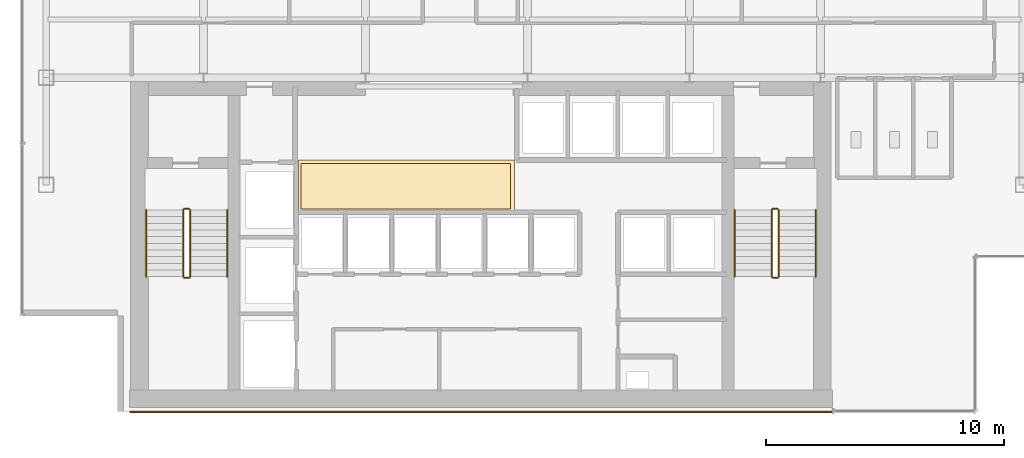
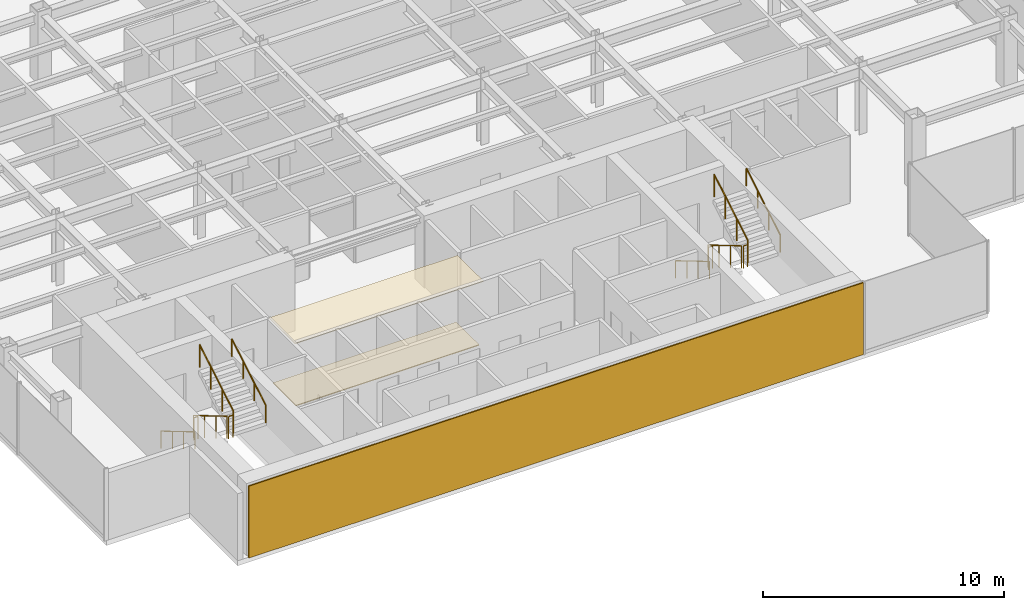
# One storey, part 23 of 25: 12 railings, 3 coverings.
"""IFC4 building model written with IfcOpenShell, lengths in metres."""

from ifc_helpers import new_model, si_unit, derived_unit, direction, frame, origin, origin_2d, place, context, subcontext, project, spatial, polyline, rectangle, circle, outline, extrude, source, transform, mapped, material, layer, layer_set, type_object, element, save


model = new_model("IFC4")

# Units and contexts
model_context = context("Model", 3, precision=1e-05, world=origin(), true_north=direction((0.0, 1.0)))
body_context = subcontext(model_context, "Body", "Model", "MODEL_VIEW")
ifc_project = project(units=[si_unit("LENGTHUNIT", "METRE"), si_unit("AREAUNIT", "SQUARE_METRE"), si_unit("VOLUMEUNIT", "CUBIC_METRE"), si_unit("PLANEANGLEUNIT", "RADIAN"), si_unit("MASSUNIT", "GRAM", prefix="KILO"), derived_unit("THERMALTRANSMITTANCEUNIT", [(si_unit("POWERUNIT", "WATT"), 1), (si_unit("LENGTHUNIT", "METRE"), -2), (si_unit("THERMODYNAMICTEMPERATUREUNIT", "KELVIN"), -1)])], contexts=[model_context])

# Site, building, storey
site_placement = place(None, origin())
site = spatial("IfcSite", under=ifc_project, at=site_placement, CompositionType="ELEMENT")
building_placement = place(site_placement, origin())
building = spatial("IfcBuilding", under=site, at=building_placement, Name="Skarnbrae Concourse Arena and Tower", CompositionType="ELEMENT")
storey_placement = place(building_placement, frame((0.0, 0.0, 158.85009765625)))
storey = spatial("IfcBuildingStorey", under=building, at=storey_placement, Name="L40", CompositionType="ELEMENT", Elevation=158.85009765625)

# Coverings
ifc_material_1 = material(Name="Mineral fibre acoustic ceiling tile", Category="other")
ifc_layer_1 = layer(ifc_material_1, 0.0400390625)
ifc_layer_set_1 = layer_set([ifc_layer_1], Name="Mineral fibre acoustic ceiling tile")
covering_type_1 = type_object("IfcCoveringType", Name="COV-CEIL-ACOUSTIC", PredefinedType="CEILING", material=ifc_layer_set_1)
covering_1_placement = place(storey_placement, frame((0.0, 0.0, 3.239990234375)))
element("IfcCovering", 1, at=covering_1_placement, inside=storey, type_object=covering_type_1, Name="L40 Lift lobby acoustic ceiling", PredefinedType="CEILING", context=body_context, shape_type="SweptSolid", body=[
    extrude(outline(polyline([(11.60009765625, 8.39990234375), (20.64990234375, 8.39990234375), (20.64990234375, 10.550048828125), (11.60009765625, 10.550048828125), (11.60009765625, 8.39990234375)])), origin(), (0.0, 0.0, 1.0), 0.039794921875),
])
ifc_material_2 = material(Name="Polished granite terrazzo flooring", Category="masonry")
ifc_layer_2 = layer(ifc_material_2, 0.0400390625)
ifc_layer_set_2 = layer_set([ifc_layer_2], Name="Polished granite terrazzo flooring")
covering_type_2 = type_object("IfcCoveringType", Name="COV-FLOOR-TERRAZZO", PredefinedType="FLOORING", material=ifc_layer_set_2)
covering_2_placement = place(storey_placement, origin())
element("IfcCovering", 2, at=covering_2_placement, inside=storey, type_object=covering_type_2, Name="L40 Lift lobby terrazzo flooring", PredefinedType="FLOORING", context=body_context, shape_type="SweptSolid", body=[
    extrude(outline(polyline([(11.699951171875, 8.5), (20.5, 8.5), (20.5, 10.39990234375), (11.699951171875, 10.39990234375), (11.699951171875, 8.5)])), origin(), (0.0, 0.0, 1.0), 0.039794921875),
])

# Railings
ifc_material_3 = material(Name="Steel CSA G40.21 350W", Category="steel")
railing_type_1 = type_object("IfcRailingType", Name="RAIL-HANDRAIL-900", PredefinedType="HANDRAIL", material=ifc_material_3)
railing_1_placement = place(storey_placement, frame((5.199951171875, 8.449951171875, 0.165771484375)))
element("IfcRailing", 3, at=railing_1_placement, inside=storey, type_object=railing_type_1, Name="L40 ST-1 stair handrail 1", PredefinedType="HANDRAIL", context=body_context, shape_type="SweptSolid", body=[
    extrude(circle(Radius=0.02392578125, at=origin_2d()), frame((0.0, 0.0, 0.8759765625), z_axis=(0.0, -0.860306154799, 0.50977771628), x_axis=(1.0, 0.0, 0.0)), (0.0, 0.0, 1.0), 3.254638671875),
    extrude(circle(Radius=0.02099609375, at=origin_2d()), origin(), (0.0, 0.0, 1.0), 0.851806640625),
    extrude(circle(Radius=0.02099609375, at=origin_2d()), frame((0.0, -0.933349609375, 0.552978515625)), (0.0, 0.0, 1.0), 0.851806640625),
    extrude(circle(Radius=0.02099609375, at=origin_2d()), frame((0.0, -1.86669921875, 1.106201171875)), (0.0, 0.0, 1.0), 0.851806640625),
    extrude(circle(Radius=0.02099609375, at=origin_2d()), frame((0.0, -2.800048828125, 1.6591796875)), (0.0, 0.0, 1.0), 0.851806640625),
])
railing_2_placement = place(storey_placement, frame((8.60009765625, 5.64990234375, 1.99072265625)))
element("IfcRailing", 4, at=railing_2_placement, inside=storey, type_object=railing_type_1, Name="L40 ST-1 stair handrail 2", PredefinedType="HANDRAIL", context=body_context, shape_type="SweptSolid", body=[
    extrude(circle(Radius=0.02392578125, at=origin_2d()), frame((0.0, 0.0, 0.8759765625), z_axis=(0.0, 0.860306154799, 0.50977771628), x_axis=(-1.0, 0.0, 0.0)), (0.0, 0.0, 1.0), 3.254638671875),
    extrude(circle(Radius=0.02099609375, at=origin_2d()), origin(), (0.0, 0.0, 1.0), 0.851806640625),
    extrude(circle(Radius=0.02099609375, at=origin_2d()), frame((0.0, 0.933349609375, 0.552978515625)), (0.0, 0.0, 1.0), 0.851806640625),
    extrude(circle(Radius=0.02099609375, at=origin_2d()), frame((0.0, 1.86669921875, 1.106201171875)), (0.0, 0.0, 1.0), 0.851806640625),
    extrude(circle(Radius=0.02099609375, at=origin_2d()), frame((0.0, 2.800048828125, 1.6591796875)), (0.0, 0.0, 1.0), 0.851806640625),
])
railing_3_placement = place(storey_placement, frame((29.89990234375, 8.449951171875, 0.165771484375)))
element("IfcRailing", 5, at=railing_3_placement, inside=storey, type_object=railing_type_1, Name="L40 ST-2 stair handrail 1", PredefinedType="HANDRAIL", context=body_context, shape_type="SweptSolid", body=[
    extrude(circle(Radius=0.02392578125, at=origin_2d()), frame((0.0, 0.0, 0.8759765625), z_axis=(0.0, -0.860306154799, 0.50977771628), x_axis=(1.0, 0.0, 0.0)), (0.0, 0.0, 1.0), 3.254638671875),
    extrude(circle(Radius=0.02099609375, at=origin_2d()), origin(), (0.0, 0.0, 1.0), 0.851806640625),
    extrude(circle(Radius=0.02099609375, at=origin_2d()), frame((0.0, -0.933349609375, 0.552978515625)), (0.0, 0.0, 1.0), 0.851806640625),
    extrude(circle(Radius=0.02099609375, at=origin_2d()), frame((0.0, -1.86669921875, 1.106201171875)), (0.0, 0.0, 1.0), 0.851806640625),
    extrude(circle(Radius=0.02099609375, at=origin_2d()), frame((0.0, -2.800048828125, 1.6591796875)), (0.0, 0.0, 1.0), 0.851806640625),
])
railing_4_placement = place(storey_placement, frame((33.300048828125, 5.64990234375, 1.99072265625)))
element("IfcRailing", 6, at=railing_4_placement, inside=storey, type_object=railing_type_1, Name="L40 ST-2 stair handrail 2", PredefinedType="HANDRAIL", context=body_context, shape_type="SweptSolid", body=[
    extrude(circle(Radius=0.02392578125, at=origin_2d()), frame((0.0, 0.0, 0.8759765625), z_axis=(0.0, 0.860306154799, 0.50977771628), x_axis=(-1.0, 0.0, 0.0)), (0.0, 0.0, 1.0), 3.254638671875),
    extrude(circle(Radius=0.02099609375, at=origin_2d()), origin(), (0.0, 0.0, 1.0), 0.851806640625),
    extrude(circle(Radius=0.02099609375, at=origin_2d()), frame((0.0, 0.933349609375, 0.552978515625)), (0.0, 0.0, 1.0), 0.851806640625),
    extrude(circle(Radius=0.02099609375, at=origin_2d()), frame((0.0, 1.86669921875, 1.106201171875)), (0.0, 0.0, 1.0), 0.851806640625),
    extrude(circle(Radius=0.02099609375, at=origin_2d()), frame((0.0, 2.800048828125, 1.6591796875)), (0.0, 0.0, 1.0), 0.851806640625),
])
railing_type_2 = type_object("IfcRailingType", Name="RAIL-STAIR-GUARD-1150", PredefinedType="GUARDRAIL", material=ifc_material_3)
railing_5_placement = place(storey_placement, frame((6.75, 8.449951171875, 0.165771484375)))
element("IfcRailing", 7, at=railing_5_placement, inside=storey, type_object=railing_type_2, Name="L40 ST-1 stair guard 1", PredefinedType="GUARDRAIL", context=body_context, shape_type="SweptSolid", body=[
    extrude(circle(Radius=0.02392578125, at=origin_2d()), frame((0.0, 0.0, 1.1259765625), z_axis=(0.0, -0.860306154799, 0.50977771628), x_axis=(1.0, 0.0, 0.0)), (0.0, 0.0, 1.0), 3.254638671875),
    extrude(circle(Radius=0.02099609375, at=origin_2d()), origin(), (0.0, 0.0, 1.0), 1.101806640625),
    extrude(circle(Radius=0.02099609375, at=origin_2d()), frame((0.0, -0.933349609375, 0.552978515625)), (0.0, 0.0, 1.0), 1.101806640625),
    extrude(circle(Radius=0.02099609375, at=origin_2d()), frame((0.0, -1.86669921875, 1.106201171875)), (0.0, 0.0, 1.0), 1.101806640625),
    extrude(circle(Radius=0.02099609375, at=origin_2d()), frame((0.0, -2.800048828125, 1.6591796875)), (0.0, 0.0, 1.0), 1.101806640625),
])
railing_6_placement = place(storey_placement, frame((6.800048828125, 5.60009765625, 1.824951171875)))
element("IfcRailing", 8, at=railing_6_placement, inside=storey, type_object=railing_type_2, Name="L40 ST-1 stair guard 2", PredefinedType="GUARDRAIL", context=body_context, shape_type="SweptSolid", body=[
    extrude(circle(Radius=0.02392578125, at=origin_2d()), frame((0.0, 0.0, 1.1259765625), z_axis=(1.0, 0.0, 0.0), x_axis=(0.0, 1.0, 0.0)), (0.0, 0.0, 1.0), 0.199951171875),
    extrude(circle(Radius=0.02099609375, at=origin_2d()), origin(), (0.0, 0.0, 1.0), 1.101806640625),
    extrude(circle(Radius=0.02099609375, at=origin_2d()), frame((0.199951171875, 0.0, 0.0)), (0.0, 0.0, 1.0), 1.101806640625),
])
railing_7_placement = place(storey_placement, frame((7.050048828125, 5.64990234375, 1.99072265625)))
element("IfcRailing", 9, at=railing_7_placement, inside=storey, type_object=railing_type_2, Name="L40 ST-1 stair guard 3", PredefinedType="GUARDRAIL", context=body_context, shape_type="SweptSolid", body=[
    extrude(circle(Radius=0.02392578125, at=origin_2d()), frame((0.0, 0.0, 1.1259765625), z_axis=(0.0, 0.860306154799, 0.50977771628), x_axis=(-1.0, 0.0, 0.0)), (0.0, 0.0, 1.0), 3.254638671875),
    extrude(circle(Radius=0.02099609375, at=origin_2d()), origin(), (0.0, 0.0, 1.0), 1.101806640625),
    extrude(circle(Radius=0.02099609375, at=origin_2d()), frame((0.0, 0.933349609375, 0.552978515625)), (0.0, 0.0, 1.0), 1.101806640625),
    extrude(circle(Radius=0.02099609375, at=origin_2d()), frame((0.0, 1.86669921875, 1.106201171875)), (0.0, 0.0, 1.0), 1.101806640625),
    extrude(circle(Radius=0.02099609375, at=origin_2d()), frame((0.0, 2.800048828125, 1.6591796875)), (0.0, 0.0, 1.0), 1.101806640625),
])
railing_8_placement = place(storey_placement, frame((6.800048828125, 8.5, 0.0)))
element("IfcRailing", 10, at=railing_8_placement, inside=storey, type_object=railing_type_2, Name="L40 ST-1 stair guard 4", PredefinedType="GUARDRAIL", context=body_context, shape_type="SweptSolid", body=[
    extrude(circle(Radius=0.02392578125, at=origin_2d()), frame((0.0, 0.0, 1.1259765625), z_axis=(1.0, 0.0, 0.0), x_axis=(0.0, 1.0, 0.0)), (0.0, 0.0, 1.0), 0.199951171875),
    extrude(circle(Radius=0.02099609375, at=origin_2d()), origin(), (0.0, 0.0, 1.0), 1.101806640625),
    extrude(circle(Radius=0.02099609375, at=origin_2d()), frame((0.199951171875, 0.0, 0.0)), (0.0, 0.0, 1.0), 1.101806640625),
])
railing_9_placement = place(storey_placement, frame((31.449951171875, 8.449951171875, 0.165771484375)))
element("IfcRailing", 11, at=railing_9_placement, inside=storey, type_object=railing_type_2, Name="L40 ST-2 stair guard 1", PredefinedType="GUARDRAIL", context=body_context, shape_type="SweptSolid", body=[
    extrude(circle(Radius=0.02392578125, at=origin_2d()), frame((0.0, 0.0, 1.1259765625), z_axis=(0.0, -0.860306154799, 0.50977771628), x_axis=(1.0, 0.0, 0.0)), (0.0, 0.0, 1.0), 3.254638671875),
    extrude(circle(Radius=0.02099609375, at=origin_2d()), origin(), (0.0, 0.0, 1.0), 1.101806640625),
    extrude(circle(Radius=0.02099609375, at=origin_2d()), frame((0.0, -0.933349609375, 0.552978515625)), (0.0, 0.0, 1.0), 1.101806640625),
    extrude(circle(Radius=0.02099609375, at=origin_2d()), frame((0.0, -1.86669921875, 1.106201171875)), (0.0, 0.0, 1.0), 1.101806640625),
    extrude(circle(Radius=0.02099609375, at=origin_2d()), frame((0.0, -2.800048828125, 1.6591796875)), (0.0, 0.0, 1.0), 1.101806640625),
])
railing_10_placement = place(storey_placement, frame((31.5, 5.60009765625, 1.824951171875)))
element("IfcRailing", 12, at=railing_10_placement, inside=storey, type_object=railing_type_2, Name="L40 ST-2 stair guard 2", PredefinedType="GUARDRAIL", context=body_context, shape_type="SweptSolid", body=[
    extrude(circle(Radius=0.02392578125, at=origin_2d()), frame((0.0, 0.0, 1.1259765625), z_axis=(1.0, 0.0, 0.0), x_axis=(0.0, 1.0, 0.0)), (0.0, 0.0, 1.0), 0.199951171875),
    extrude(circle(Radius=0.02099609375, at=origin_2d()), origin(), (0.0, 0.0, 1.0), 1.101806640625),
    extrude(circle(Radius=0.02099609375, at=origin_2d()), frame((0.199951171875, 0.0, 0.0)), (0.0, 0.0, 1.0), 1.101806640625),
])
railing_11_placement = place(storey_placement, frame((31.75, 5.64990234375, 1.99072265625)))
element("IfcRailing", 13, at=railing_11_placement, inside=storey, type_object=railing_type_2, Name="L40 ST-2 stair guard 3", PredefinedType="GUARDRAIL", context=body_context, shape_type="SweptSolid", body=[
    extrude(circle(Radius=0.02392578125, at=origin_2d()), frame((0.0, 0.0, 1.1259765625), z_axis=(0.0, 0.860306154799, 0.50977771628), x_axis=(-1.0, 0.0, 0.0)), (0.0, 0.0, 1.0), 3.254638671875),
    extrude(circle(Radius=0.02099609375, at=origin_2d()), origin(), (0.0, 0.0, 1.0), 1.101806640625),
    extrude(circle(Radius=0.02099609375, at=origin_2d()), frame((0.0, 0.933349609375, 0.552978515625)), (0.0, 0.0, 1.0), 1.101806640625),
    extrude(circle(Radius=0.02099609375, at=origin_2d()), frame((0.0, 1.86669921875, 1.106201171875)), (0.0, 0.0, 1.0), 1.101806640625),
    extrude(circle(Radius=0.02099609375, at=origin_2d()), frame((0.0, 2.800048828125, 1.6591796875)), (0.0, 0.0, 1.0), 1.101806640625),
])
railing_12_placement = place(storey_placement, frame((31.5, 8.5, 0.0)))
element("IfcRailing", 14, at=railing_12_placement, inside=storey, type_object=railing_type_2, Name="L40 ST-2 stair guard 4", PredefinedType="GUARDRAIL", context=body_context, shape_type="SweptSolid", body=[
    extrude(circle(Radius=0.02392578125, at=origin_2d()), frame((0.0, 0.0, 1.1259765625), z_axis=(1.0, 0.0, 0.0), x_axis=(0.0, 1.0, 0.0)), (0.0, 0.0, 1.0), 0.199951171875),
    extrude(circle(Radius=0.02099609375, at=origin_2d()), origin(), (0.0, 0.0, 1.0), 1.101806640625),
    extrude(circle(Radius=0.02099609375, at=origin_2d()), frame((0.199951171875, 0.0, 0.0)), (0.0, 0.0, 1.0), 1.101806640625),
])

# Covering
ifc_material_4 = material(Name="Bronze anodised aluminium 6063-T6", Category="aluminium")
ifc_layer_3 = layer(ifc_material_4, 0.06005859375)
ifc_layer_set_3 = layer_set([ifc_layer_3], Name="Bronze anodised aluminium 6063-T6")
covering_type_3 = type_object("IfcCoveringType", Name="COV-CLAD-BRONZE-60", PredefinedType="CLADDING", material=ifc_layer_set_3)
shared_shape = source(origin(), body_context, "Body", "SweptSolid", [
    extrude(rectangle(XDim=29.5, YDim=0.06005859375, at=origin_2d()), origin(), (0.0, 0.0, 1.0), 3.64990234375),
])
covering_3_placement = place(storey_placement, frame((19.25, -0.030029296875, 0.0), z_axis=(0.0, 0.0, 1.0), x_axis=(1.0, 0.0, 0.0)))
element("IfcCovering", 15, at=covering_3_placement, inside=storey, type_object=covering_type_3, Name="L40 Rear-core plumb spine bronze rainscreen panel", PredefinedType="CLADDING", context=body_context, shape_type="MappedRepresentation", body=[
    mapped(shared_shape, transform((0.0, 0.0, 0.0))),
])

save(model, "model.ifc")
